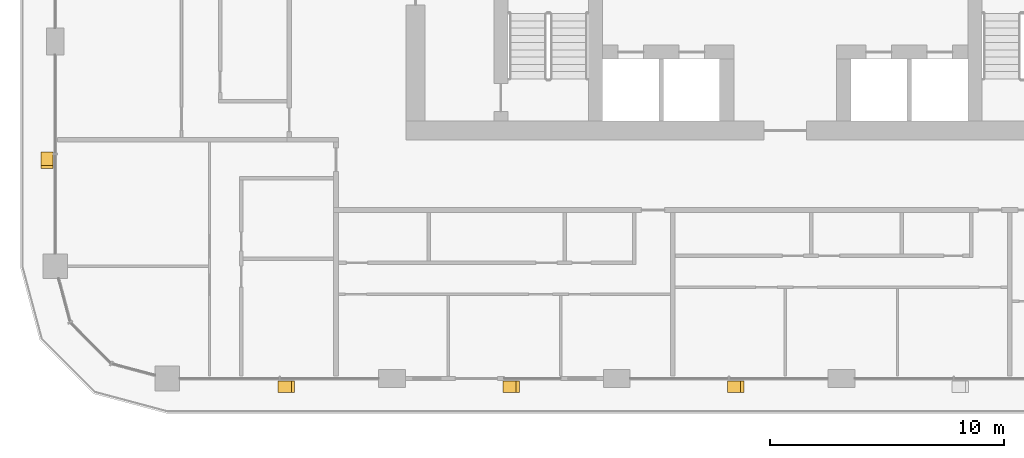
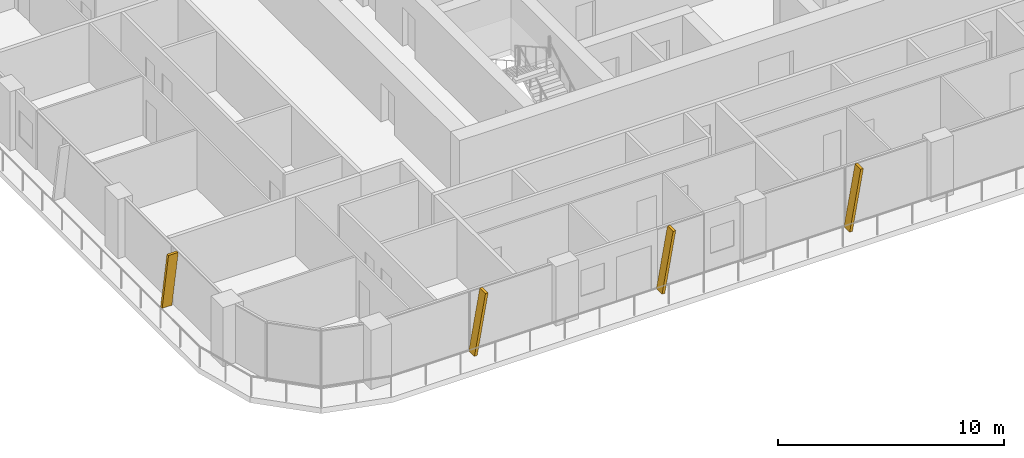
# One storey, part 16 of 22: 4 shading devices.
"""IFC4 building model written with IfcOpenShell, lengths in metres."""

import ifcopenshell
import ifcopenshell.guid

model = None  # the IFC model being written
_history = None  # IfcOwnerHistory: only IFC2X3 demands one
_inside = {}  # id of a spatial element -> (the spatial element, [elements in it])
_under = {}  # id of a project, library or spatial element -> (it, [spatial elements below it])
_declared = {}  # id of a project -> (the project, [libraries it declares])
_typed = {}  # id of a type object -> (the type object, [elements of that type])
_made_of = {}  # id of a material, layer set ... -> (it, [elements and type objects made of it])


def new_model(schema):
    """Start an empty IFC model of exactly this schema.

    Asked for "IFC4X3", IfcOpenShell would pick the latest addendum, in which some entities
    have other attributes; the version numbers below select the first issue.
    IFC2X3 requires an IfcOwnerHistory on every rooted entity: one is made here for all.
    """
    global model, _history
    if schema == "IFC4X3":
        model = ifcopenshell.file(schema_version=(4, 3, 0, 0))
    else:
        model = ifcopenshell.file(schema=schema)
    _inside.clear()
    _under.clear()
    _declared.clear()
    _typed.clear()
    _made_of.clear()
    _history = None
    if model.schema == "IFC2X3":
        org = make("IfcOrganization", Name="unknown")
        user = make(
            "IfcPersonAndOrganization",
            ThePerson=make("IfcPerson", FamilyName="unknown"),
            TheOrganization=org,
        )
        app = make(
            "IfcApplication",
            ApplicationDeveloper=org,
            Version="unknown",
            ApplicationFullName="unknown",
            ApplicationIdentifier="unknown",
        )
        _history = make(
            "IfcOwnerHistory",
            OwningUser=user,
            OwningApplication=app,
            ChangeAction="ADDED",
            CreationDate=0,
        )
    return model


def make(cls, **values):
    """One entity of the class cls with the attributes given. An attribute that is None is left unset."""
    return model.create_entity(
        cls, **{name: value for name, value in values.items() if value is not None}
    )


def rooted(cls, **values):
    """An entity with a GlobalId (a new one), such as an element, a storey or a relation."""
    return make(cls, GlobalId=ifcopenshell.guid.new(), OwnerHistory=_history, **values)


def si_unit(unit_type, name, prefix=None):
    """IfcSIUnit, for example si_unit("LENGTHUNIT", "METRE", prefix="MILLI")."""
    return make("IfcSIUnit", UnitType=unit_type, Prefix=prefix, Name=name)


def assignment(units):
    """IfcUnitAssignment: the units of a project."""
    return None if units is None else make("IfcUnitAssignment", Units=units)


def point(xyz):
    """IfcCartesianPoint."""
    return None if xyz is None else make("IfcCartesianPoint", Coordinates=xyz)


def direction(xyz):
    """IfcDirection."""
    return None if xyz is None else make("IfcDirection", DirectionRatios=xyz)


def frame(location, z_axis=None, x_axis=None):
    """IfcAxis2Placement3D, a coordinate frame: its origin and axes. An axis left out is left unset."""
    return make(
        "IfcAxis2Placement3D",
        Location=point(location),
        Axis=direction(z_axis),
        RefDirection=direction(x_axis),
    )


def origin():
    """The frame at (0, 0, 0) with its axes left unset."""
    return frame((0.0, 0.0, 0.0))


def place(relative_to, where):
    """IfcLocalPlacement: puts the frame where relative to a parent placement (None: the world)."""
    return make(
        "IfcLocalPlacement", PlacementRelTo=relative_to, RelativePlacement=where
    )


def context(
    kind, dimensions, precision=None, world=None, true_north=None, identifier=None
):
    """IfcGeometricRepresentationContext, for example the 3D "Model" context."""
    return make(
        "IfcGeometricRepresentationContext",
        ContextIdentifier=identifier,
        ContextType=kind,
        CoordinateSpaceDimension=dimensions,
        Precision=precision,
        WorldCoordinateSystem=world,
        TrueNorth=true_north,
    )


def subcontext(parent, identifier, kind, view, scale=None):
    """IfcGeometricRepresentationSubContext, for example "Body" below "Model"."""
    return make(
        "IfcGeometricRepresentationSubContext",
        ContextIdentifier=identifier,
        ContextType=kind,
        ParentContext=parent,
        TargetScale=scale,
        TargetView=view,
    )


def project(units=None, contexts=None):
    """IfcProject with its units and contexts."""
    return rooted(
        "IfcProject",
        Name="project",
        RepresentationContexts=contexts,
        UnitsInContext=assignment(units),
    )


def spatial(cls, under=None, at=None, **own):
    """A site, building, storey or space (cls), placed at a placement, below another one or the project."""
    s = rooted(cls, ObjectPlacement=at, **own)
    if under is not None:
        _under.setdefault(under.id(), (under, []))[1].append(s)
    return s


def polyline(points):
    """IfcPolyline through the points."""
    return make("IfcPolyline", Points=[point(p) for p in points])


def outline(outer, holes=None, kind="AREA"):
    """IfcArbitraryClosedProfileDef: a profile drawn as a closed curve; with holes, ...WithVoids."""
    if holes is None:
        return make("IfcArbitraryClosedProfileDef", ProfileType=kind, OuterCurve=outer)
    return make(
        "IfcArbitraryProfileDefWithVoids",
        ProfileType=kind,
        OuterCurve=outer,
        InnerCurves=holes,
    )


def extrude(swept, where, along, depth):
    """IfcExtrudedAreaSolid: the profile swept, set in the frame where, extruded along a direction by depth."""
    return make(
        "IfcExtrudedAreaSolid",
        SweptArea=swept,
        Position=where,
        ExtrudedDirection=direction(along),
        Depth=depth,
    )


def shape(context_of_items, identifier, shape_type, items):
    """IfcShapeRepresentation: the items that make up one representation, for example the "Body"."""
    return make(
        "IfcShapeRepresentation",
        ContextOfItems=context_of_items,
        RepresentationIdentifier=identifier,
        RepresentationType=shape_type,
        Items=items,
    )


def material(Name=None, Category=None):
    """IfcMaterial."""
    return make("IfcMaterial", Name=Name, Category=Category)


def made_of(thing, what):
    """Note that an element or type object is made of a material, layer set ...; save() writes the relation."""
    if what is not None:
        _made_of.setdefault(what.id(), (what, []))[1].append(thing)
    return thing


def type_object(cls, material=None, **own):
    """A type object (cls), such as IfcWallType, which elements share."""
    return made_of(rooted(cls, **own), material)


def element(
    cls,
    number,
    at=None,
    inside=None,
    cuts=None,
    type_object=None,
    material=None,
    context=None,
    identifier="Body",
    shape_type=None,
    held_by="IfcProductDefinitionShape",
    body=None,
    shapes=None,
    **own,
):
    """One element of the class cls, such as IfcWall. Its Tag is "e" and its number.

    at: its placement. inside: the storey or other place that contains it. cuts: it is an
    opening in that element (IfcRelVoidsElement). A single representation is given by context,
    identifier, shape_type and body (its items); several are given by shapes. held_by: the class
    of the entity that holds the representations. save() writes the other relations.
    """
    e = rooted(cls, Tag="e%d" % number, ObjectPlacement=at, **own)
    if body is not None:
        shapes = [shape(context, identifier, shape_type, body)]
    if shapes is not None:
        e.Representation = make(held_by, Representations=shapes)
    if inside is not None:
        _inside.setdefault(inside.id(), (inside, []))[1].append(e)
    if cuts is not None:
        rooted(
            "IfcRelVoidsElement", RelatingBuildingElement=cuts, RelatedOpeningElement=e
        )
    if type_object is not None:
        _typed.setdefault(type_object.id(), (type_object, []))[1].append(e)
    return made_of(e, material)


def aggregate(whole, parts):
    """IfcRelAggregates: a whole, such as a stair, and the parts it consists of."""
    return rooted("IfcRelAggregates", RelatingObject=whole, RelatedObjects=parts)


def save(model, path):
    """Write the relations noted so far, then the file.

    IfcRelAggregates (storeys below a building ...), IfcRelContainedInSpatialStructure (elements
    in a storey), IfcRelDefinesByType, IfcRelAssociatesMaterial and IfcRelDeclares: one each for
    every whole, place, type object, material and project.
    """
    for whole, parts in _under.values():
        aggregate(whole, parts)
    for where, things in _inside.values():
        rooted(
            "IfcRelContainedInSpatialStructure",
            RelatedElements=things,
            RelatingStructure=where,
        )
    for kind, things in _typed.values():
        rooted("IfcRelDefinesByType", RelatedObjects=things, RelatingType=kind)
    for what, things in _made_of.values():
        rooted("IfcRelAssociatesMaterial", RelatedObjects=things, RelatingMaterial=what)
    for by, libraries in _declared.values():
        rooted("IfcRelDeclares", RelatingContext=by, RelatedDefinitions=libraries)
    model.write(path)


model = new_model("IFC4")

# Units and contexts
model_context = context("Model", 3, precision=1e-05, world=origin(), true_north=direction((0.0, 1.0)))
body_context = subcontext(model_context, "Body", "Model", "MODEL_VIEW")
ifc_project = project(units=[si_unit("LENGTHUNIT", "METRE"), si_unit("AREAUNIT", "SQUARE_METRE"), si_unit("VOLUMEUNIT", "CUBIC_METRE"), si_unit("PLANEANGLEUNIT", "RADIAN"), si_unit("MASSUNIT", "GRAM", prefix="KILO")], contexts=[model_context])

# Site, building, storey
site_placement = place(None, origin())
site = spatial("IfcSite", under=ifc_project, at=site_placement, CompositionType="ELEMENT")
building_placement = place(site_placement, origin())
building = spatial("IfcBuilding", under=site, at=building_placement, Name="Madar Terraces", CompositionType="ELEMENT")
storey_placement = place(building_placement, frame((0.0, 0.0, 136.60009765625)))
storey = spatial("IfcBuildingStorey", under=building, at=storey_placement, Name="L35", CompositionType="ELEMENT", Elevation=136.60009765625)

# Shading devices
ifc_material = material(Name="Aluminium, black anodised", Category="aluminium")
shading_device_type = type_object("IfcShadingDeviceType", Name="Facade fin blade 140 x 500", PredefinedType="USERDEFINED", material=ifc_material)
shading_device_1_placement = place(storey_placement, frame((9.530029296875, 4.449951171875, 0.0), z_axis=(0.0, 0.0, 1.0), x_axis=(1.0, 0.0, 0.0)))
element("IfcShadingDevice", 1, at=shading_device_1_placement, inside=storey, type_object=shading_device_type, Name="FIN L35 S1", ObjectType="FIN", PredefinedType="USERDEFINED", context=body_context, shape_type="SweptSolid", body=[
    extrude(outline(polyline([(0.0, 0.0), (0.139892578125, 0.0), (0.704345703125, 3.199951171875), (0.564208984375, 3.199951171875), (0.0, 0.0)])), frame((0.0, 0.25, 0.0), z_axis=(0.0, -1.0, 0.0), x_axis=(1.0, 0.0, 0.0)), (0.0, 0.0, 1.0), 0.5),
])
for number, where, z_axis, x_axis, name in (
    (2, (19.1298828125, 4.449951171875, 0.0), (0.0, 0.0, 1.0), (1.0, 0.0, 0.0), "FIN L35 S2"),
    (3, (28.72998046875, 4.449951171875, 0.0), (0.0, 0.0, 1.0), (1.0, 0.0, 0.0), "FIN L35 S3"),
):
    element("IfcShadingDevice", number, at=place(storey_placement, frame(where, z_axis=z_axis, x_axis=x_axis)), inside=storey, type_object=shading_device_type, Name=name, ObjectType="FIN", PredefinedType="USERDEFINED", context=body_context, shape_type="SweptSolid", body=[
        extrude(outline(polyline([(0.0, 0.0), (0.14013671875, 0.0), (0.704345703125, 3.199951171875), (0.564208984375, 3.199951171875), (0.0, 0.0)])), frame((0.0, 0.25, 0.0), z_axis=(0.0, -1.0, 0.0), x_axis=(1.0, 0.0, 0.0)), (0.0, 0.0, 1.0), 0.5),
    ])
shading_device_2_placement = place(storey_placement, frame((-0.35009765625, 14.469970703125, 0.0), z_axis=(0.0, 0.0, 1.0), x_axis=(0.0, -1.0, 0.0)))
element("IfcShadingDevice", 4, at=shading_device_2_placement, inside=storey, type_object=shading_device_type, Name="FIN L35 W4", ObjectType="FIN", PredefinedType="USERDEFINED", context=body_context, shape_type="SweptSolid", body=[
    extrude(outline(polyline([(0.0, 0.0), (0.139892578125, 0.0), (0.704345703125, 3.199951171875), (0.564208984375, 3.199951171875), (0.0, 0.0)])), frame((0.0, 0.25, 0.0), z_axis=(0.0, -1.0, 0.0), x_axis=(1.0, 0.0, 0.0)), (0.0, 0.0, 1.0), 0.5),
])

save(model, "model.ifc")
